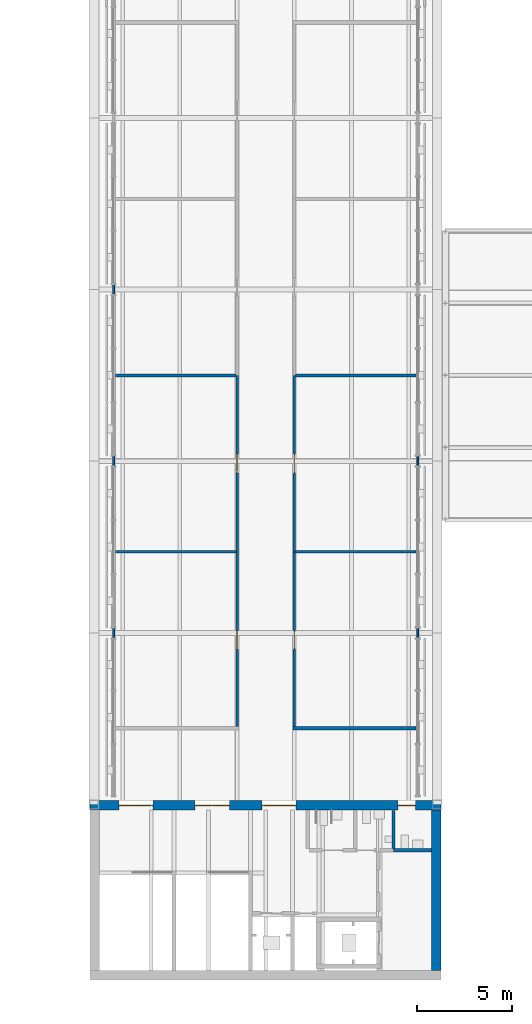
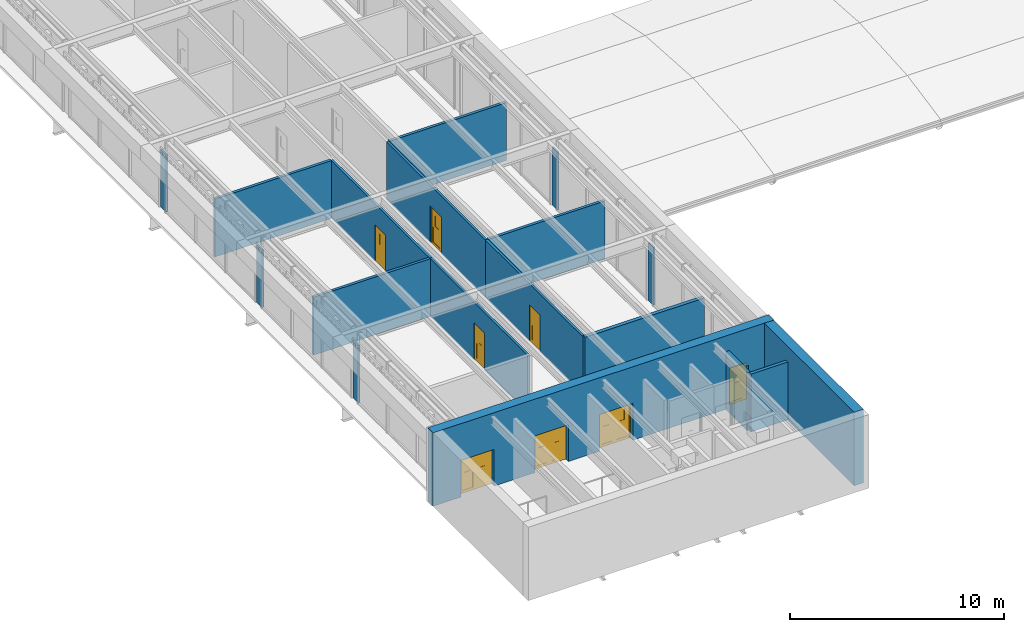
# One storey, part 20 of 43: 18 walls, 8 doors, 8 openings.
"""IFC4 building model written with IfcOpenShell, lengths in metres."""

import ifcopenshell
import ifcopenshell.guid

model = None  # the IFC model being written
_history = None  # IfcOwnerHistory: only IFC2X3 demands one
_inside = {}  # id of a spatial element -> (the spatial element, [elements in it])
_under = {}  # id of a project, library or spatial element -> (it, [spatial elements below it])
_declared = {}  # id of a project -> (the project, [libraries it declares])
_typed = {}  # id of a type object -> (the type object, [elements of that type])
_made_of = {}  # id of a material, layer set ... -> (it, [elements and type objects made of it])


def new_model(schema):
    """Start an empty IFC model of exactly this schema.

    Asked for "IFC4X3", IfcOpenShell would pick the latest addendum, in which some entities
    have other attributes; the version numbers below select the first issue.
    IFC2X3 requires an IfcOwnerHistory on every rooted entity: one is made here for all.
    """
    global model, _history
    if schema == "IFC4X3":
        model = ifcopenshell.file(schema_version=(4, 3, 0, 0))
    else:
        model = ifcopenshell.file(schema=schema)
    _inside.clear()
    _under.clear()
    _declared.clear()
    _typed.clear()
    _made_of.clear()
    _history = None
    if model.schema == "IFC2X3":
        org = make("IfcOrganization", Name="unknown")
        user = make(
            "IfcPersonAndOrganization",
            ThePerson=make("IfcPerson", FamilyName="unknown"),
            TheOrganization=org,
        )
        app = make(
            "IfcApplication",
            ApplicationDeveloper=org,
            Version="unknown",
            ApplicationFullName="unknown",
            ApplicationIdentifier="unknown",
        )
        _history = make(
            "IfcOwnerHistory",
            OwningUser=user,
            OwningApplication=app,
            ChangeAction="ADDED",
            CreationDate=0,
        )
    return model


def make(cls, **values):
    """One entity of the class cls with the attributes given. An attribute that is None is left unset."""
    return model.create_entity(
        cls, **{name: value for name, value in values.items() if value is not None}
    )


def rooted(cls, **values):
    """An entity with a GlobalId (a new one), such as an element, a storey or a relation."""
    return make(cls, GlobalId=ifcopenshell.guid.new(), OwnerHistory=_history, **values)


def si_unit(unit_type, name, prefix=None):
    """IfcSIUnit, for example si_unit("LENGTHUNIT", "METRE", prefix="MILLI")."""
    return make("IfcSIUnit", UnitType=unit_type, Prefix=prefix, Name=name)


def assignment(units):
    """IfcUnitAssignment: the units of a project."""
    return None if units is None else make("IfcUnitAssignment", Units=units)


def point(xyz):
    """IfcCartesianPoint."""
    return None if xyz is None else make("IfcCartesianPoint", Coordinates=xyz)


def direction(xyz):
    """IfcDirection."""
    return None if xyz is None else make("IfcDirection", DirectionRatios=xyz)


def frame(location, z_axis=None, x_axis=None):
    """IfcAxis2Placement3D, a coordinate frame: its origin and axes. An axis left out is left unset."""
    return make(
        "IfcAxis2Placement3D",
        Location=point(location),
        Axis=direction(z_axis),
        RefDirection=direction(x_axis),
    )


def frame_2d(location, x_axis=None):
    """IfcAxis2Placement2D, a coordinate frame in the plane: its origin and x axis."""
    return make(
        "IfcAxis2Placement2D", Location=point(location), RefDirection=direction(x_axis)
    )


def origin():
    """The frame at (0, 0, 0) with its axes left unset."""
    return frame((0.0, 0.0, 0.0))


def place(relative_to, where):
    """IfcLocalPlacement: puts the frame where relative to a parent placement (None: the world)."""
    return make(
        "IfcLocalPlacement", PlacementRelTo=relative_to, RelativePlacement=where
    )


def context(
    kind, dimensions, precision=None, world=None, true_north=None, identifier=None
):
    """IfcGeometricRepresentationContext, for example the 3D "Model" context."""
    return make(
        "IfcGeometricRepresentationContext",
        ContextIdentifier=identifier,
        ContextType=kind,
        CoordinateSpaceDimension=dimensions,
        Precision=precision,
        WorldCoordinateSystem=world,
        TrueNorth=true_north,
    )


def subcontext(parent, identifier, kind, view, scale=None):
    """IfcGeometricRepresentationSubContext, for example "Body" below "Model"."""
    return make(
        "IfcGeometricRepresentationSubContext",
        ContextIdentifier=identifier,
        ContextType=kind,
        ParentContext=parent,
        TargetScale=scale,
        TargetView=view,
    )


def project(units=None, contexts=None):
    """IfcProject with its units and contexts."""
    return rooted(
        "IfcProject",
        Name="project",
        RepresentationContexts=contexts,
        UnitsInContext=assignment(units),
    )


def spatial(cls, under=None, at=None, **own):
    """A site, building, storey or space (cls), placed at a placement, below another one or the project."""
    s = rooted(cls, ObjectPlacement=at, **own)
    if under is not None:
        _under.setdefault(under.id(), (under, []))[1].append(s)
    return s


def polyline(points):
    """IfcPolyline through the points."""
    return make("IfcPolyline", Points=[point(p) for p in points])


def profile(cls, at=None, kind="AREA", **sizes):
    """A parametric profile (cls). Its sizes go by their IFC names, for example OverallWidth=200.0."""
    return make(cls, ProfileType=kind, Position=at, **sizes)


def rectangle(**sizes):
    """IfcRectangleProfileDef."""
    return profile("IfcRectangleProfileDef", **sizes)


def outline(outer, holes=None, kind="AREA"):
    """IfcArbitraryClosedProfileDef: a profile drawn as a closed curve; with holes, ...WithVoids."""
    if holes is None:
        return make("IfcArbitraryClosedProfileDef", ProfileType=kind, OuterCurve=outer)
    return make(
        "IfcArbitraryProfileDefWithVoids",
        ProfileType=kind,
        OuterCurve=outer,
        InnerCurves=holes,
    )


def extrude(swept, where, along, depth):
    """IfcExtrudedAreaSolid: the profile swept, set in the frame where, extruded along a direction by depth."""
    return make(
        "IfcExtrudedAreaSolid",
        SweptArea=swept,
        Position=where,
        ExtrudedDirection=direction(along),
        Depth=depth,
    )


def shape(context_of_items, identifier, shape_type, items):
    """IfcShapeRepresentation: the items that make up one representation, for example the "Body"."""
    return make(
        "IfcShapeRepresentation",
        ContextOfItems=context_of_items,
        RepresentationIdentifier=identifier,
        RepresentationType=shape_type,
        Items=items,
    )


def material(Name=None, Category=None):
    """IfcMaterial."""
    return make("IfcMaterial", Name=Name, Category=Category)


def layer(
    of_material, thickness, ventilated=None, Name=None, Category=None, Priority=None
):
    """IfcMaterialLayer: one layer of a wall or slab, of a material (None: an air gap)."""
    return make(
        "IfcMaterialLayer",
        Material=of_material,
        LayerThickness=thickness,
        IsVentilated=ventilated,
        Name=Name,
        Category=Category,
        Priority=Priority,
    )


def layer_set(layers, Name=None):
    """IfcMaterialLayerSet."""
    return make("IfcMaterialLayerSet", MaterialLayers=layers, LayerSetName=Name)


def made_of(thing, what):
    """Note that an element or type object is made of a material, layer set ...; save() writes the relation."""
    if what is not None:
        _made_of.setdefault(what.id(), (what, []))[1].append(thing)
    return thing


def type_object(cls, material=None, **own):
    """A type object (cls), such as IfcWallType, which elements share."""
    return made_of(rooted(cls, **own), material)


def element(
    cls,
    number,
    at=None,
    inside=None,
    cuts=None,
    type_object=None,
    material=None,
    context=None,
    identifier="Body",
    shape_type=None,
    held_by="IfcProductDefinitionShape",
    body=None,
    shapes=None,
    **own,
):
    """One element of the class cls, such as IfcWall. Its Tag is "e" and its number.

    at: its placement. inside: the storey or other place that contains it. cuts: it is an
    opening in that element (IfcRelVoidsElement). A single representation is given by context,
    identifier, shape_type and body (its items); several are given by shapes. held_by: the class
    of the entity that holds the representations. save() writes the other relations.
    """
    e = rooted(cls, Tag="e%d" % number, ObjectPlacement=at, **own)
    if body is not None:
        shapes = [shape(context, identifier, shape_type, body)]
    if shapes is not None:
        e.Representation = make(held_by, Representations=shapes)
    if inside is not None:
        _inside.setdefault(inside.id(), (inside, []))[1].append(e)
    if cuts is not None:
        rooted(
            "IfcRelVoidsElement", RelatingBuildingElement=cuts, RelatedOpeningElement=e
        )
    if type_object is not None:
        _typed.setdefault(type_object.id(), (type_object, []))[1].append(e)
    return made_of(e, material)


def fill(opening, filler):
    """IfcRelFillsElement: the door or window that sits in an opening."""
    return rooted(
        "IfcRelFillsElement",
        RelatingOpeningElement=opening,
        RelatedBuildingElement=filler,
    )


def aggregate(whole, parts):
    """IfcRelAggregates: a whole, such as a stair, and the parts it consists of."""
    return rooted("IfcRelAggregates", RelatingObject=whole, RelatedObjects=parts)


def save(model, path):
    """Write the relations noted so far, then the file.

    IfcRelAggregates (storeys below a building ...), IfcRelContainedInSpatialStructure (elements
    in a storey), IfcRelDefinesByType, IfcRelAssociatesMaterial and IfcRelDeclares: one each for
    every whole, place, type object, material and project.
    """
    for whole, parts in _under.values():
        aggregate(whole, parts)
    for where, things in _inside.values():
        rooted(
            "IfcRelContainedInSpatialStructure",
            RelatedElements=things,
            RelatingStructure=where,
        )
    for kind, things in _typed.values():
        rooted("IfcRelDefinesByType", RelatedObjects=things, RelatingType=kind)
    for what, things in _made_of.values():
        rooted("IfcRelAssociatesMaterial", RelatedObjects=things, RelatingMaterial=what)
    for by, libraries in _declared.values():
        rooted("IfcRelDeclares", RelatingContext=by, RelatedDefinitions=libraries)
    model.write(path)


model = new_model("IFC4")

# Units and contexts
model_context = context("Model", 3, precision=1e-05, world=origin(), true_north=direction((0.0, 1.0)))
body_context = subcontext(model_context, "Body", "Model", "MODEL_VIEW")
ifc_project = project(units=[si_unit("LENGTHUNIT", "METRE"), si_unit("AREAUNIT", "SQUARE_METRE"), si_unit("VOLUMEUNIT", "CUBIC_METRE"), si_unit("PLANEANGLEUNIT", "RADIAN"), si_unit("MASSUNIT", "GRAM", prefix="KILO")], contexts=[model_context])

# Site, building, storey
site_placement = place(None, origin())
site = spatial("IfcSite", under=ifc_project, at=site_placement, CompositionType="ELEMENT")
building_placement = place(site_placement, origin())
building = spatial("IfcBuilding", under=site, at=building_placement, Name="Baradari Gate Terminus", CompositionType="ELEMENT")
storey_placement = place(building_placement, frame((0.0, 0.0, 20.10009765625)))
storey = spatial("IfcBuildingStorey", under=building, at=storey_placement, Name="L04", CompositionType="ELEMENT", Elevation=20.10009765625)

# Wall, openings, doors
ifc_material_1 = material(Name="Concrete C40/50", Category="concrete")
ifc_layer_1 = layer(ifc_material_1, 0.5)
ifc_layer_set_1 = layer_set([ifc_layer_1], Name="Concrete C40/50")
wall_type_1 = type_object("IfcWallType", Name="Abutment core wall CWL05 500", PredefinedType="SOLIDWALL", material=ifc_layer_set_1)
wall_1_placement = place(storey_placement, frame((71.800048828125, 35.949951171875, 0.0), z_axis=(0.0, 0.0, 1.0), x_axis=(1.0, 0.0, 0.0)))
wall_1 = element("IfcWall", 1, at=wall_1_placement, inside=storey, type_object=wall_type_1, Name="Abutment core wall GS N L04", PredefinedType="SOLIDWALL", context=body_context, shape_type="SweptSolid", body=[
    extrude(rectangle(XDim=18.39990234375, YDim=0.5, at=frame_2d((9.199951171875, 0.0))), origin(), (0.0, 0.0, 1.0), 4.199951171875),
])
opening_1_placement = place(wall_1_placement, frame((1.5, 0.0, 0.0)))
opening_1 = element("IfcOpeningElement", 2, at=opening_1_placement, cuts=wall_1, Name="Opening D04-039", PredefinedType="OPENING", context=body_context, shape_type="SweptSolid", body=[
    extrude(rectangle(XDim=1.800048828125, YDim=2.10009765625, at=frame_2d((0.89990234375, 1.050048828125))), frame((0.0, 0.260009765625, 0.0), z_axis=(0.0, -1.0, 0.0), x_axis=(1.0, 0.0, 0.0)), (0.0, 0.0, 1.0), 0.52001953125),
])
opening_2_placement = place(wall_1_placement, frame((5.5, 0.0, 0.0)))
opening_2 = element("IfcOpeningElement", 3, at=opening_2_placement, cuts=wall_1, Name="Opening D04-040", PredefinedType="OPENING", context=body_context, shape_type="SweptSolid", body=[
    extrude(rectangle(XDim=1.800048828125, YDim=2.10009765625, at=frame_2d((0.89990234375, 1.050048828125))), frame((0.0, 0.260009765625, 0.0), z_axis=(0.0, -1.0, 0.0), x_axis=(1.0, 0.0, 0.0)), (0.0, 0.0, 1.0), 0.52001953125),
])
opening_3_placement = place(wall_1_placement, frame((9.0, 0.0, 0.0)))
opening_3 = element("IfcOpeningElement", 4, at=opening_3_placement, cuts=wall_1, Name="Opening D04-041", PredefinedType="OPENING", context=body_context, shape_type="SweptSolid", body=[
    extrude(rectangle(XDim=1.800048828125, YDim=2.10009765625, at=frame_2d((0.89990234375, 1.050048828125))), frame((0.0, 0.260009765625, 0.0), z_axis=(0.0, -1.0, 0.0), x_axis=(1.0, 0.0, 0.0)), (0.0, 0.0, 1.0), 0.52001953125),
])
opening_4_placement = place(wall_1_placement, frame((16.14990234375, 0.0, 0.0)))
opening_4 = element("IfcOpeningElement", 5, at=opening_4_placement, cuts=wall_1, Name="Opening D04-046", PredefinedType="OPENING", context=body_context, shape_type="SweptSolid", body=[
    extrude(rectangle(XDim=0.89990234375, YDim=2.10009765625, at=frame_2d((0.449951171875, 1.050048828125))), frame((0.0, 0.260009765625, 0.0), z_axis=(0.0, -1.0, 0.0), x_axis=(1.0, 0.0, 0.0)), (0.0, 0.0, 1.0), 0.52001953125),
])
ifc_material_2 = material(Name="Steel S275", Category="steel")
door_type_1 = type_object("IfcDoorType", Name="Fire door FI-1800-FD90S 1800x2100 FD90S", OperationType="DOUBLE_DOOR_SINGLE_SWING", PredefinedType="DOOR", material=ifc_material_2)
door_1_placement = place(opening_1_placement, frame((1.800048828125, 0.0, 0.0), z_axis=(0.0, 0.0, 1.0), x_axis=(-1.0, 0.0, 0.0)))
door_1 = element("IfcDoor", 6, at=door_1_placement, inside=storey, type_object=door_type_1, Name="Door Stair (Gate South) 1", OperationType="DOUBLE_DOOR_SINGLE_SWING", OverallHeight=2.1, OverallWidth=1.8, PredefinedType="DOOR", context=body_context, shape_type="SweptSolid", body=[
    extrude(outline(polyline([(0.0, 0.0), (0.070068359375, 0.0), (0.070068359375, 2.030029296875), (1.72998046875, 2.030029296875), (1.72998046875, 0.0), (1.800048828125, 0.0), (1.800048828125, 2.10009765625), (0.0, 2.10009765625), (0.0, 0.0)])), frame((0.0, 0.02490234375, 0.0), z_axis=(0.0, -1.0, 0.0), x_axis=(1.0, 0.0, 0.0)), (0.0, 0.0, 1.0), 0.050048828125),
    extrude(outline(polyline([(0.073974609375, 0.010009765625), (0.89697265625, 0.010009765625), (0.89697265625, 2.026123046875), (0.073974609375, 2.026123046875), (0.073974609375, 0.010009765625)]), holes=[polyline([(0.194091796875, 0.159912109375), (0.77685546875, 0.159912109375), (0.77685546875, 1.010009765625), (0.194091796875, 1.010009765625), (0.194091796875, 0.159912109375)]), polyline([(0.33544921875, 1.159912109375), (0.635498046875, 1.159912109375), (0.635498046875, 1.760009765625), (0.33544921875, 1.760009765625), (0.33544921875, 1.159912109375)])]), frame((0.0, 0.017333984375, 0.0), z_axis=(0.0, -1.0, 0.0), x_axis=(1.0, 0.0, 0.0)), (0.0, 0.0, 1.0), 0.034912109375),
    extrude(rectangle(XDim=0.582763671875, YDim=0.85009765625, at=frame_2d((0.4853515625, 0.5849609375))), frame((0.0, 0.008544921875, 0.0), z_axis=(0.0, -1.0, 0.0), x_axis=(1.0, 0.0, 0.0)), (0.0, 0.0, 1.0), 0.017333984375),
    extrude(rectangle(XDim=0.300048828125, YDim=0.60009765625, at=frame_2d((0.4853515625, 1.4599609375))), frame((0.0, 0.005859375, 0.0), z_axis=(0.0, -1.0, 0.0), x_axis=(1.0, 0.0, 0.0)), (0.0, 0.0, 1.0), 0.011962890625),
    extrude(outline(polyline([(0.903076171875, 0.010009765625), (1.72607421875, 0.010009765625), (1.72607421875, 2.026123046875), (0.903076171875, 2.026123046875), (0.903076171875, 0.010009765625)]), holes=[polyline([(1.023193359375, 0.159912109375), (1.60595703125, 0.159912109375), (1.60595703125, 1.010009765625), (1.023193359375, 1.010009765625), (1.023193359375, 0.159912109375)]), polyline([(1.16455078125, 1.159912109375), (1.464599609375, 1.159912109375), (1.464599609375, 1.760009765625), (1.16455078125, 1.760009765625), (1.16455078125, 1.159912109375)])]), frame((0.0, 0.017333984375, 0.0), z_axis=(0.0, -1.0, 0.0), x_axis=(1.0, 0.0, 0.0)), (0.0, 0.0, 1.0), 0.034912109375),
    extrude(rectangle(XDim=0.582763671875, YDim=0.85009765625, at=frame_2d((1.314453125, 0.5849609375))), frame((0.0, 0.008544921875, 0.0), z_axis=(0.0, -1.0, 0.0), x_axis=(1.0, 0.0, 0.0)), (0.0, 0.0, 1.0), 0.017333984375),
    extrude(rectangle(XDim=0.300048828125, YDim=0.60009765625, at=frame_2d((1.314453125, 1.4599609375))), frame((0.0, 0.005859375, 0.0), z_axis=(0.0, -1.0, 0.0), x_axis=(1.0, 0.0, 0.0)), (0.0, 0.0, 1.0), 0.011962890625),
])
fill(opening_1, door_1)
door_2_placement = place(opening_2_placement, frame((1.800048828125, 0.0, 0.0), z_axis=(0.0, 0.0, 1.0), x_axis=(-1.0, 0.0, 0.0)))
door_2 = element("IfcDoor", 7, at=door_2_placement, inside=storey, type_object=door_type_1, Name="Door Stair (Gate South) 2", OperationType="DOUBLE_DOOR_SINGLE_SWING", OverallHeight=2.1, OverallWidth=1.8, PredefinedType="DOOR", context=body_context, shape_type="SweptSolid", body=[
    extrude(outline(polyline([(0.0, 0.0), (0.070068359375, 0.0), (0.070068359375, 2.030029296875), (1.72998046875, 2.030029296875), (1.72998046875, 0.0), (1.800048828125, 0.0), (1.800048828125, 2.10009765625), (0.0, 2.10009765625), (0.0, 0.0)])), frame((0.0, 0.02490234375, 0.0), z_axis=(0.0, -1.0, 0.0), x_axis=(1.0, 0.0, 0.0)), (0.0, 0.0, 1.0), 0.050048828125),
    extrude(outline(polyline([(0.073974609375, 0.010009765625), (0.89697265625, 0.010009765625), (0.89697265625, 2.026123046875), (0.073974609375, 2.026123046875), (0.073974609375, 0.010009765625)]), holes=[polyline([(0.194091796875, 0.159912109375), (0.77685546875, 0.159912109375), (0.77685546875, 1.010009765625), (0.194091796875, 1.010009765625), (0.194091796875, 0.159912109375)]), polyline([(0.33544921875, 1.159912109375), (0.635498046875, 1.159912109375), (0.635498046875, 1.760009765625), (0.33544921875, 1.760009765625), (0.33544921875, 1.159912109375)])]), frame((0.0, 0.017333984375, 0.0), z_axis=(0.0, -1.0, 0.0), x_axis=(1.0, 0.0, 0.0)), (0.0, 0.0, 1.0), 0.034912109375),
    extrude(rectangle(XDim=0.582763671875, YDim=0.85009765625, at=frame_2d((0.4853515625, 0.5849609375))), frame((0.0, 0.008544921875, 0.0), z_axis=(0.0, -1.0, 0.0), x_axis=(1.0, 0.0, 0.0)), (0.0, 0.0, 1.0), 0.017333984375),
    extrude(rectangle(XDim=0.300048828125, YDim=0.60009765625, at=frame_2d((0.4853515625, 1.4599609375))), frame((0.0, 0.005859375, 0.0), z_axis=(0.0, -1.0, 0.0), x_axis=(1.0, 0.0, 0.0)), (0.0, 0.0, 1.0), 0.011962890625),
    extrude(outline(polyline([(0.903076171875, 0.010009765625), (1.72607421875, 0.010009765625), (1.72607421875, 2.026123046875), (0.903076171875, 2.026123046875), (0.903076171875, 0.010009765625)]), holes=[polyline([(1.023193359375, 0.159912109375), (1.60595703125, 0.159912109375), (1.60595703125, 1.010009765625), (1.023193359375, 1.010009765625), (1.023193359375, 0.159912109375)]), polyline([(1.16455078125, 1.159912109375), (1.464599609375, 1.159912109375), (1.464599609375, 1.760009765625), (1.16455078125, 1.760009765625), (1.16455078125, 1.159912109375)])]), frame((0.0, 0.017333984375, 0.0), z_axis=(0.0, -1.0, 0.0), x_axis=(1.0, 0.0, 0.0)), (0.0, 0.0, 1.0), 0.034912109375),
    extrude(rectangle(XDim=0.582763671875, YDim=0.85009765625, at=frame_2d((1.314453125, 0.5849609375))), frame((0.0, 0.008544921875, 0.0), z_axis=(0.0, -1.0, 0.0), x_axis=(1.0, 0.0, 0.0)), (0.0, 0.0, 1.0), 0.017333984375),
    extrude(rectangle(XDim=0.300048828125, YDim=0.60009765625, at=frame_2d((1.314453125, 1.4599609375))), frame((0.0, 0.005859375, 0.0), z_axis=(0.0, -1.0, 0.0), x_axis=(1.0, 0.0, 0.0)), (0.0, 0.0, 1.0), 0.011962890625),
])
fill(opening_2, door_2)
door_3_placement = place(opening_3_placement, frame((1.800048828125, 0.0, 0.0), z_axis=(0.0, 0.0, 1.0), x_axis=(-1.0, 0.0, 0.0)))
door_3 = element("IfcDoor", 8, at=door_3_placement, inside=storey, type_object=door_type_1, Name="Door Lift Lobby", OperationType="DOUBLE_DOOR_SINGLE_SWING", OverallHeight=2.1, OverallWidth=1.8, PredefinedType="DOOR", context=body_context, shape_type="SweptSolid", body=[
    extrude(outline(polyline([(0.0, 0.0), (0.070068359375, 0.0), (0.070068359375, 2.030029296875), (1.72998046875, 2.030029296875), (1.72998046875, 0.0), (1.800048828125, 0.0), (1.800048828125, 2.10009765625), (0.0, 2.10009765625), (0.0, 0.0)])), frame((0.0, 0.02490234375, 0.0), z_axis=(0.0, -1.0, 0.0), x_axis=(1.0, 0.0, 0.0)), (0.0, 0.0, 1.0), 0.050048828125),
    extrude(outline(polyline([(0.073974609375, 0.010009765625), (0.89697265625, 0.010009765625), (0.89697265625, 2.026123046875), (0.073974609375, 2.026123046875), (0.073974609375, 0.010009765625)]), holes=[polyline([(0.194091796875, 0.159912109375), (0.77685546875, 0.159912109375), (0.77685546875, 1.010009765625), (0.194091796875, 1.010009765625), (0.194091796875, 0.159912109375)]), polyline([(0.33544921875, 1.159912109375), (0.635498046875, 1.159912109375), (0.635498046875, 1.760009765625), (0.33544921875, 1.760009765625), (0.33544921875, 1.159912109375)])]), frame((0.0, 0.017333984375, 0.0), z_axis=(0.0, -1.0, 0.0), x_axis=(1.0, 0.0, 0.0)), (0.0, 0.0, 1.0), 0.034912109375),
    extrude(rectangle(XDim=0.582763671875, YDim=0.85009765625, at=frame_2d((0.4853515625, 0.5849609375))), frame((0.0, 0.008544921875, 0.0), z_axis=(0.0, -1.0, 0.0), x_axis=(1.0, 0.0, 0.0)), (0.0, 0.0, 1.0), 0.017333984375),
    extrude(rectangle(XDim=0.300048828125, YDim=0.60009765625, at=frame_2d((0.4853515625, 1.4599609375))), frame((0.0, 0.005859375, 0.0), z_axis=(0.0, -1.0, 0.0), x_axis=(1.0, 0.0, 0.0)), (0.0, 0.0, 1.0), 0.011962890625),
    extrude(outline(polyline([(0.903076171875, 0.010009765625), (1.72607421875, 0.010009765625), (1.72607421875, 2.026123046875), (0.903076171875, 2.026123046875), (0.903076171875, 0.010009765625)]), holes=[polyline([(1.023193359375, 0.159912109375), (1.60595703125, 0.159912109375), (1.60595703125, 1.010009765625), (1.023193359375, 1.010009765625), (1.023193359375, 0.159912109375)]), polyline([(1.16455078125, 1.159912109375), (1.464599609375, 1.159912109375), (1.464599609375, 1.760009765625), (1.16455078125, 1.760009765625), (1.16455078125, 1.159912109375)])]), frame((0.0, 0.017333984375, 0.0), z_axis=(0.0, -1.0, 0.0), x_axis=(1.0, 0.0, 0.0)), (0.0, 0.0, 1.0), 0.034912109375),
    extrude(rectangle(XDim=0.582763671875, YDim=0.85009765625, at=frame_2d((1.314453125, 0.5849609375))), frame((0.0, 0.008544921875, 0.0), z_axis=(0.0, -1.0, 0.0), x_axis=(1.0, 0.0, 0.0)), (0.0, 0.0, 1.0), 0.017333984375),
    extrude(rectangle(XDim=0.300048828125, YDim=0.60009765625, at=frame_2d((1.314453125, 1.4599609375))), frame((0.0, 0.005859375, 0.0), z_axis=(0.0, -1.0, 0.0), x_axis=(1.0, 0.0, 0.0)), (0.0, 0.0, 1.0), 0.011962890625),
])
fill(opening_3, door_3)
ifc_material_3 = material(Name="Steel S275", Category="steel")
door_type_2 = type_object("IfcDoorType", Name="Fire door FI-900-FD90S 900x2100 FD90S", OperationType="SINGLE_SWING_LEFT", PredefinedType="DOOR", material=ifc_material_3)
door_4_placement = place(opening_4_placement, frame((0.89990234375, 0.0, 0.0), z_axis=(0.0, 0.0, 1.0), x_axis=(-1.0, 0.0, 0.0)))
door_4 = element("IfcDoor", 9, at=door_4_placement, inside=storey, type_object=door_type_2, Name="Door Female WC", OperationType="SINGLE_SWING_RIGHT", OverallHeight=2.1, OverallWidth=0.9, PredefinedType="DOOR", context=body_context, shape_type="SweptSolid", body=[
    extrude(outline(polyline([(0.0, 0.0), (0.070068359375, 0.0), (0.070068359375, 2.030029296875), (0.829833984375, 2.030029296875), (0.829833984375, 0.0), (0.89990234375, 0.0), (0.89990234375, 2.10009765625), (0.0, 2.10009765625), (0.0, 0.0)])), frame((0.0, 0.02490234375, 0.0), z_axis=(0.0, -1.0, 0.0), x_axis=(1.0, 0.0, 0.0)), (0.0, 0.0, 1.0), 0.050048828125),
    extrude(outline(polyline([(0.073974609375, 0.010009765625), (0.825927734375, 0.010009765625), (0.825927734375, 2.026123046875), (0.073974609375, 2.026123046875), (0.073974609375, 0.010009765625)]), holes=[polyline([(0.194091796875, 0.159912109375), (0.705810546875, 0.159912109375), (0.705810546875, 1.010009765625), (0.194091796875, 1.010009765625), (0.194091796875, 0.159912109375)]), polyline([(0.300048828125, 1.159912109375), (0.599853515625, 1.159912109375), (0.599853515625, 1.760009765625), (0.300048828125, 1.760009765625), (0.300048828125, 1.159912109375)])]), frame((0.0, 0.017333984375, 0.0), z_axis=(0.0, -1.0, 0.0), x_axis=(1.0, 0.0, 0.0)), (0.0, 0.0, 1.0), 0.034912109375),
    extrude(rectangle(XDim=0.51171875, YDim=0.85009765625, at=frame_2d((0.449951171875, 0.5849609375))), frame((0.0, 0.008544921875, 0.0), z_axis=(0.0, -1.0, 0.0), x_axis=(1.0, 0.0, 0.0)), (0.0, 0.0, 1.0), 0.017333984375),
    extrude(rectangle(XDim=0.2998046875, YDim=0.60009765625, at=frame_2d((0.449951171875, 1.4599609375))), frame((0.0, 0.005859375, 0.0), z_axis=(0.0, -1.0, 0.0), x_axis=(1.0, 0.0, 0.0)), (0.0, 0.0, 1.0), 0.011962890625),
])
fill(opening_4, door_4)

# Wall
wall_2_placement = place(storey_placement, frame((89.949951171875, 27.300048828125, 0.0), z_axis=(0.0, 0.0, 1.0), x_axis=(0.0, 1.0, 0.0)))
element("IfcWall", 10, at=wall_2_placement, inside=storey, type_object=wall_type_1, Name="Abutment core wall GS E L04", PredefinedType="SOLIDWALL", context=body_context, shape_type="SweptSolid", body=[
    extrude(rectangle(XDim=8.39990234375, YDim=0.5, at=frame_2d((4.199951171875, 0.0))), origin(), (0.0, 0.0, 1.0), 4.199951171875),
])

# Wall, opening, door
ifc_material_4 = material(Name="Gypsum board")
ifc_layer_2 = layer(ifc_material_4, 0.125)
ifc_layer_set_2 = layer_set([ifc_layer_2], Name="Gypsum board")
wall_type_2 = type_object("IfcWallType", Name="Corridor partition PT-5 125 EI 30", PredefinedType="PARTITIONING", material=ifc_layer_set_2)
wall_3_placement = place(storey_placement, frame((82.5, 49.25, 0.0), z_axis=(0.0, 0.0, 1.0), x_axis=(0.0, -1.0, 0.0)))
wall_3 = element("IfcWall", 11, at=wall_3_placement, inside=storey, type_object=wall_type_2, Name="PT-5 partition Corridor (Gate Spine) / Gate Office 4.05", PredefinedType="PARTITIONING", context=body_context, shape_type="SweptSolid", body=[
    extrude(rectangle(XDim=9.14990234375, YDim=0.125, at=frame_2d((4.574951171875, 0.0))), origin(), (0.0, 0.0, 1.0), 3.286865234375),
])
opening_5_placement = place(wall_3_placement, frame((4.125, 0.0, 0.0)))
opening_5 = element("IfcOpeningElement", 12, at=opening_5_placement, cuts=wall_3, Name="Opening D04-051", PredefinedType="OPENING", context=body_context, shape_type="SweptSolid", body=[
    extrude(rectangle(XDim=1.0, YDim=2.10009765625, at=frame_2d((0.5, 1.050048828125))), frame((0.0, 0.072509765625, 0.0), z_axis=(0.0, -1.0, 0.0), x_axis=(1.0, 0.0, 0.0)), (0.0, 0.0, 1.0), 0.14501953125),
])
ifc_material_5 = material(Name="Steel S275", Category="steel")
door_type_3 = type_object("IfcDoorType", Name="Fire door FI-1000-FD30S 1000x2100 FD30S", OperationType="SINGLE_SWING_LEFT", PredefinedType="DOOR", material=ifc_material_5)
door_5_placement = place(opening_5_placement, origin())
door_5 = element("IfcDoor", 13, at=door_5_placement, inside=storey, type_object=door_type_3, Name="Door Gate Office 4.05", OperationType="SINGLE_SWING_LEFT", OverallHeight=2.1, OverallWidth=1.0, PredefinedType="DOOR", context=body_context, shape_type="SweptSolid", body=[
    extrude(outline(polyline([(0.0, 0.0), (0.070068359375, 0.0), (0.070068359375, 2.030029296875), (0.929931640625, 2.030029296875), (0.929931640625, 0.0), (1.0, 0.0), (1.0, 2.10009765625), (0.0, 2.10009765625), (0.0, 0.0)])), frame((0.0, 0.02490234375, 0.0), z_axis=(0.0, -1.0, 0.0), x_axis=(1.0, 0.0, 0.0)), (0.0, 0.0, 1.0), 0.050048828125),
    extrude(outline(polyline([(0.073974609375, 0.010009765625), (0.926025390625, 0.010009765625), (0.926025390625, 2.026123046875), (0.073974609375, 2.026123046875), (0.073974609375, 0.010009765625)]), holes=[polyline([(0.194091796875, 0.159912109375), (0.805908203125, 0.159912109375), (0.805908203125, 1.010009765625), (0.194091796875, 1.010009765625), (0.194091796875, 0.159912109375)]), polyline([(0.35009765625, 1.159912109375), (0.64990234375, 1.159912109375), (0.64990234375, 1.760009765625), (0.35009765625, 1.760009765625), (0.35009765625, 1.159912109375)])]), frame((0.0, 0.017333984375, 0.0), z_axis=(0.0, -1.0, 0.0), x_axis=(1.0, 0.0, 0.0)), (0.0, 0.0, 1.0), 0.034912109375),
    extrude(rectangle(XDim=0.61181640625, YDim=0.85009765625, at=frame_2d((0.5, 0.5849609375))), frame((0.0, 0.008544921875, 0.0), z_axis=(0.0, -1.0, 0.0), x_axis=(1.0, 0.0, 0.0)), (0.0, 0.0, 1.0), 0.017333984375),
    extrude(rectangle(XDim=0.2998046875, YDim=0.60009765625, at=frame_2d((0.5, 1.4599609375))), frame((0.0, 0.005859375, 0.0), z_axis=(0.0, -1.0, 0.0), x_axis=(1.0, 0.0, 0.0)), (0.0, 0.0, 1.0), 0.011962890625),
])
fill(opening_5, door_5)

wall_4_placement = place(storey_placement, frame((82.5, 58.5, 0.0), z_axis=(0.0, 0.0, 1.0), x_axis=(0.0, -1.0, 0.0)))
wall_4 = element("IfcWall", 14, at=wall_4_placement, inside=storey, type_object=wall_type_2, Name="PT-5 partition Corridor (Gate Spine) / Gate Meeting Room 4", PredefinedType="PARTITIONING", context=body_context, shape_type="SweptSolid", body=[
    extrude(rectangle(XDim=9.25, YDim=0.125, at=frame_2d((4.625, 0.0))), origin(), (0.0, 0.0, 1.0), 3.286865234375),
])
opening_6_placement = place(wall_4_placement, frame((4.10009765625, 0.0, 0.0)))
opening_6 = element("IfcOpeningElement", 15, at=opening_6_placement, cuts=wall_4, Name="Opening D04-052", PredefinedType="OPENING", context=body_context, shape_type="SweptSolid", body=[
    extrude(rectangle(XDim=1.050048828125, YDim=2.10009765625, at=frame_2d((0.52490234375, 1.050048828125))), frame((0.0, 0.072509765625, 0.0), z_axis=(0.0, -1.0, 0.0), x_axis=(1.0, 0.0, 0.0)), (0.0, 0.0, 1.0), 0.14501953125),
])
ifc_material_6 = material(Name="Steel S275", Category="steel")
door_type_4 = type_object("IfcDoorType", Name="Fire door FI-1050-FD30S 1050x2100 FD30S", OperationType="SINGLE_SWING_LEFT", PredefinedType="DOOR", material=ifc_material_6)
door_6_placement = place(opening_6_placement, origin())
door_6 = element("IfcDoor", 16, at=door_6_placement, inside=storey, type_object=door_type_4, Name="Door Gate Meeting Room 4", OperationType="SINGLE_SWING_LEFT", OverallHeight=2.1, OverallWidth=1.05, PredefinedType="DOOR", context=body_context, shape_type="SweptSolid", body=[
    extrude(outline(polyline([(0.0, 0.0), (0.070068359375, 0.0), (0.070068359375, 2.030029296875), (0.97998046875, 2.030029296875), (0.97998046875, 0.0), (1.050048828125, 0.0), (1.050048828125, 2.10009765625), (0.0, 2.10009765625), (0.0, 0.0)])), frame((0.0, 0.02490234375, 0.0), z_axis=(0.0, -1.0, 0.0), x_axis=(1.0, 0.0, 0.0)), (0.0, 0.0, 1.0), 0.050048828125),
    extrude(outline(polyline([(0.073974609375, 0.010009765625), (0.97607421875, 0.010009765625), (0.97607421875, 2.026123046875), (0.073974609375, 2.026123046875), (0.073974609375, 0.010009765625)]), holes=[polyline([(0.194091796875, 0.159912109375), (0.85595703125, 0.159912109375), (0.85595703125, 1.010009765625), (0.194091796875, 1.010009765625), (0.194091796875, 0.159912109375)]), polyline([(0.375, 1.159912109375), (0.675048828125, 1.159912109375), (0.675048828125, 1.760009765625), (0.375, 1.760009765625), (0.375, 1.159912109375)])]), frame((0.0, 0.017333984375, 0.0), z_axis=(0.0, -1.0, 0.0), x_axis=(1.0, 0.0, 0.0)), (0.0, 0.0, 1.0), 0.034912109375),
    extrude(rectangle(XDim=0.661865234375, YDim=0.85009765625, at=frame_2d((0.52490234375, 0.5849609375))), frame((0.0, 0.008544921875, 0.0), z_axis=(0.0, -1.0, 0.0), x_axis=(1.0, 0.0, 0.0)), (0.0, 0.0, 1.0), 0.017333984375),
    extrude(rectangle(XDim=0.300048828125, YDim=0.60009765625, at=frame_2d((0.52490234375, 1.4599609375))), frame((0.0, 0.005859375, 0.0), z_axis=(0.0, -1.0, 0.0), x_axis=(1.0, 0.0, 0.0)), (0.0, 0.0, 1.0), 0.011962890625),
])
fill(opening_6, door_6)

wall_5_placement = place(storey_placement, frame((79.5, 40.10009765625, 0.0), z_axis=(0.0, 0.0, 1.0), x_axis=(0.0, 1.0, 0.0)))
wall_5 = element("IfcWall", 17, at=wall_5_placement, inside=storey, type_object=wall_type_2, Name="PT-5 partition Corridor (Gate Spine) / Gate Office 4.01", PredefinedType="PARTITIONING", context=body_context, shape_type="SweptSolid", body=[
    extrude(rectangle(XDim=9.14990234375, YDim=0.125, at=frame_2d((4.574951171875, 0.0))), origin(), (0.0, 0.0, 1.0), 3.286865234375),
])
opening_7_placement = place(wall_5_placement, frame((4.02490234375, 0.0, 0.0)))
opening_7 = element("IfcOpeningElement", 18, at=opening_7_placement, cuts=wall_5, Name="Opening D04-047", PredefinedType="OPENING", context=body_context, shape_type="SweptSolid", body=[
    extrude(rectangle(XDim=1.0, YDim=2.10009765625, at=frame_2d((0.5, 1.050048828125))), frame((0.0, 0.072509765625, 0.0), z_axis=(0.0, -1.0, 0.0), x_axis=(1.0, 0.0, 0.0)), (0.0, 0.0, 1.0), 0.14501953125),
])
door_7_placement = place(opening_7_placement, origin())
door_7 = element("IfcDoor", 19, at=door_7_placement, inside=storey, type_object=door_type_3, Name="Door Gate Office 4.01", OperationType="SINGLE_SWING_LEFT", OverallHeight=2.1, OverallWidth=1.0, PredefinedType="DOOR", context=body_context, shape_type="SweptSolid", body=[
    extrude(outline(polyline([(0.0, 0.0), (0.070068359375, 0.0), (0.070068359375, 2.030029296875), (0.929931640625, 2.030029296875), (0.929931640625, 0.0), (1.0, 0.0), (1.0, 2.10009765625), (0.0, 2.10009765625), (0.0, 0.0)])), frame((0.0, 0.02490234375, 0.0), z_axis=(0.0, -1.0, 0.0), x_axis=(1.0, 0.0, 0.0)), (0.0, 0.0, 1.0), 0.050048828125),
    extrude(outline(polyline([(0.073974609375, 0.010009765625), (0.926025390625, 0.010009765625), (0.926025390625, 2.026123046875), (0.073974609375, 2.026123046875), (0.073974609375, 0.010009765625)]), holes=[polyline([(0.194091796875, 0.159912109375), (0.805908203125, 0.159912109375), (0.805908203125, 1.010009765625), (0.194091796875, 1.010009765625), (0.194091796875, 0.159912109375)]), polyline([(0.35009765625, 1.159912109375), (0.64990234375, 1.159912109375), (0.64990234375, 1.760009765625), (0.35009765625, 1.760009765625), (0.35009765625, 1.159912109375)])]), frame((0.0, 0.017333984375, 0.0), z_axis=(0.0, -1.0, 0.0), x_axis=(1.0, 0.0, 0.0)), (0.0, 0.0, 1.0), 0.034912109375),
    extrude(rectangle(XDim=0.61181640625, YDim=0.85009765625, at=frame_2d((0.5, 0.5849609375))), frame((0.0, 0.008544921875, 0.0), z_axis=(0.0, -1.0, 0.0), x_axis=(1.0, 0.0, 0.0)), (0.0, 0.0, 1.0), 0.017333984375),
    extrude(rectangle(XDim=0.2998046875, YDim=0.60009765625, at=frame_2d((0.5, 1.4599609375))), frame((0.0, 0.005859375, 0.0), z_axis=(0.0, -1.0, 0.0), x_axis=(1.0, 0.0, 0.0)), (0.0, 0.0, 1.0), 0.011962890625),
])
fill(opening_7, door_7)

wall_6_placement = place(storey_placement, frame((79.5, 49.25, 0.0), z_axis=(0.0, 0.0, 1.0), x_axis=(0.0, 1.0, 0.0)))
wall_6 = element("IfcWall", 20, at=wall_6_placement, inside=storey, type_object=wall_type_2, Name="PT-5 partition Corridor (Gate Spine) / Gate Office 4.02", PredefinedType="PARTITIONING", context=body_context, shape_type="SweptSolid", body=[
    extrude(rectangle(XDim=9.25, YDim=0.125, at=frame_2d((4.625, 0.0))), origin(), (0.0, 0.0, 1.0), 3.286865234375),
])
opening_8_placement = place(wall_6_placement, frame((4.125, 0.0, 0.0)))
opening_8 = element("IfcOpeningElement", 21, at=opening_8_placement, cuts=wall_6, Name="Opening D04-048", PredefinedType="OPENING", context=body_context, shape_type="SweptSolid", body=[
    extrude(rectangle(XDim=1.0, YDim=2.10009765625, at=frame_2d((0.5, 1.050048828125))), frame((0.0, 0.072509765625, 0.0), z_axis=(0.0, -1.0, 0.0), x_axis=(1.0, 0.0, 0.0)), (0.0, 0.0, 1.0), 0.14501953125),
])
door_8_placement = place(opening_8_placement, origin())
door_8 = element("IfcDoor", 22, at=door_8_placement, inside=storey, type_object=door_type_3, Name="Door Gate Office 4.02", OperationType="SINGLE_SWING_LEFT", OverallHeight=2.1, OverallWidth=1.0, PredefinedType="DOOR", context=body_context, shape_type="SweptSolid", body=[
    extrude(outline(polyline([(0.0, 0.0), (0.070068359375, 0.0), (0.070068359375, 2.030029296875), (0.929931640625, 2.030029296875), (0.929931640625, 0.0), (1.0, 0.0), (1.0, 2.10009765625), (0.0, 2.10009765625), (0.0, 0.0)])), frame((0.0, 0.02490234375, 0.0), z_axis=(0.0, -1.0, 0.0), x_axis=(1.0, 0.0, 0.0)), (0.0, 0.0, 1.0), 0.050048828125),
    extrude(outline(polyline([(0.073974609375, 0.010009765625), (0.926025390625, 0.010009765625), (0.926025390625, 2.026123046875), (0.073974609375, 2.026123046875), (0.073974609375, 0.010009765625)]), holes=[polyline([(0.194091796875, 0.159912109375), (0.805908203125, 0.159912109375), (0.805908203125, 1.010009765625), (0.194091796875, 1.010009765625), (0.194091796875, 0.159912109375)]), polyline([(0.35009765625, 1.159912109375), (0.64990234375, 1.159912109375), (0.64990234375, 1.760009765625), (0.35009765625, 1.760009765625), (0.35009765625, 1.159912109375)])]), frame((0.0, 0.017333984375, 0.0), z_axis=(0.0, -1.0, 0.0), x_axis=(1.0, 0.0, 0.0)), (0.0, 0.0, 1.0), 0.034912109375),
    extrude(rectangle(XDim=0.61181640625, YDim=0.85009765625, at=frame_2d((0.5, 0.5849609375))), frame((0.0, 0.008544921875, 0.0), z_axis=(0.0, -1.0, 0.0), x_axis=(1.0, 0.0, 0.0)), (0.0, 0.0, 1.0), 0.017333984375),
    extrude(rectangle(XDim=0.2998046875, YDim=0.60009765625, at=frame_2d((0.5, 1.4599609375))), frame((0.0, 0.005859375, 0.0), z_axis=(0.0, -1.0, 0.0), x_axis=(1.0, 0.0, 0.0)), (0.0, 0.0, 1.0), 0.011962890625),
])
fill(opening_8, door_8)

# Walls
ifc_material_7 = material(Name="Blockwork wall, plastered, fire rated", Category="masonry")
ifc_layer_3 = layer(ifc_material_7, 0.199951171875)
ifc_layer_set_3 = layer_set([ifc_layer_3], Name="Blockwork wall, plastered, fire rated")
wall_type_3 = type_object("IfcWallType", Name="Lobby partition PT-4 200 EI 60", PredefinedType="PARTITIONING", material=ifc_layer_set_3)
wall_7_placement = place(storey_placement, frame((82.4375, 40.0, 0.0), z_axis=(0.0, 0.0, 1.0), x_axis=(1.0, 0.0, 0.0)))
element("IfcWall", 23, at=wall_7_placement, inside=storey, type_object=wall_type_3, Name="PT-4 partition Lobby (Gate South) / Gate Office 4.05", PredefinedType="PARTITIONING", context=body_context, shape_type="SweptSolid", body=[
    extrude(rectangle(XDim=6.4375, YDim=0.199951171875, at=frame_2d((3.21875, 0.0))), origin(), (0.0, 0.0, 1.0), 3.3818359375),
])
ifc_material_8 = material(Name="Blockwork wall, plastered", Category="masonry")
ifc_layer_4 = layer(ifc_material_8, 0.14990234375)
ifc_layer_set_4 = layer_set([ifc_layer_4], Name="Blockwork wall, plastered")
wall_type_4 = type_object("IfcWallType", Name="Partition PT-2 150 EI 60", PredefinedType="PARTITIONING", material=ifc_layer_set_4)
for number, where, z_axis, x_axis, name in (
    (24, (73.125, 49.25, 0.0), (0.0, 0.0, 1.0), (1.0, 0.0, 0.0), "PT-2 partition Gate Office 4.01 / Gate Office 4.02"),
    (25, (73.125, 58.5, 0.0), (0.0, 0.0, 1.0), (1.0, 0.0, 0.0), "PT-2 partition Gate Office 4.02 / Gate Office 4.03"),
    (26, (82.5625, 49.25, 0.0), (0.0, 0.0, 1.0), (1.0, 0.0, 0.0), "PT-2 partition Gate Office 4.05 / Gate Meeting Room 4"),
    (27, (82.5625, 58.5, 0.0), (0.0, 0.0, 1.0), (1.0, 0.0, 0.0), "PT-2 partition Gate Meeting Room 4 / Gate Office 4.07"),
):
    element("IfcWall", number, at=place(storey_placement, frame(where, z_axis=z_axis, x_axis=x_axis)), inside=storey, type_object=wall_type_4, Name=name, PredefinedType="PARTITIONING", context=body_context, shape_type="SweptSolid", body=[
        extrude(rectangle(XDim=6.3125, YDim=0.14990234375, at=frame_2d((3.15625, 0.0))), origin(), (0.0, 0.0, 1.0), 3.306884765625),
    ])
ifc_material_9 = material(Name="Concrete C40/50 precast", Category="concrete")
ifc_layer_5 = layer(ifc_material_9, 0.06)
ifc_material_10 = material(Name="Reconstituted stone", Category="masonry")
ifc_layer_6 = layer(ifc_material_10, 0.04)
ifc_layer_set_5 = layer_set([ifc_layer_5, ifc_layer_6], Name="Concrete C40/50 precast")
wall_type_5 = type_object("IfcWallType", Name="Precast cover panel WP-3 100", PredefinedType="SOLIDWALL", material=ifc_layer_set_5)
for number, where, z_axis, x_axis, name in (
    (28, (73.02490234375, 44.75, 0.0), (0.0, 0.0, 1.0), (0.0, 1.0, 0.0), "Post cover panel GW L04 2"),
    (29, (73.02490234375, 53.75, 0.0), (0.0, 0.0, 1.0), (0.0, 1.0, 0.0), "Post cover panel GW L04 3"),
    (30, (73.02490234375, 62.75, 0.0), (0.0, 0.0, 1.0), (0.0, 1.0, 0.0), "Post cover panel GW L04 4"),
    (31, (88.97509765625, 44.75, 0.0), (0.0, 0.0, 1.0), (0.0, 1.0, 0.0), "Post cover panel GE L04 2"),
    (32, (88.97509765625, 53.75, 0.0), (0.0, 0.0, 1.0), (0.0, 1.0, 0.0), "Post cover panel GE L04 3"),
):
    element("IfcWall", number, at=place(storey_placement, frame(where, z_axis=z_axis, x_axis=x_axis)), inside=storey, type_object=wall_type_5, Name=name, PredefinedType="SOLIDWALL", context=body_context, shape_type="SweptSolid", body=[
        extrude(rectangle(XDim=0.5, YDim=0.10009765625, at=frame_2d((0.25, 0.0))), origin(), (0.0, 0.0, 1.0), 3.28759765625),
    ])
ifc_material_11 = material(Name="Blockwork wall, tiled both faces", Category="masonry")
ifc_layer_7 = layer(ifc_material_11, 0.175048828125)
ifc_layer_set_6 = layer_set([ifc_layer_7], Name="Blockwork wall, tiled both faces")
wall_type_6 = type_object("IfcWallType", Name="WC wet wall PT-6 175 EI 60", PredefinedType="PARTITIONING", material=ifc_layer_set_6)
for number, where, z_axis, x_axis, name in (
    (33, (87.699951171875, 33.60009765625, 0.0), (0.0, 0.0, 1.0), (1.0, 0.0, 0.0), "PT-6 partition Lift Lobby (Fire-fighting) / Female WC"),
    (34, (87.699951171875, 35.697998046875, 0.0), (0.0, 0.0, 1.0), (0.0, -1.0, 0.0), "PT-6 partition Male WC / Female WC"),
):
    element("IfcWall", number, at=place(storey_placement, frame(where, z_axis=z_axis, x_axis=x_axis)), inside=storey, type_object=wall_type_6, Name=name, PredefinedType="PARTITIONING", context=body_context, shape_type="SweptSolid", body=[
        extrude(rectangle(XDim=1.998046875, YDim=0.175048828125, at=frame_2d((0.9990234375, 0.0))), origin(), (0.0, 0.0, 1.0), 3.306884765625),
    ])

save(model, "model.ifc")
